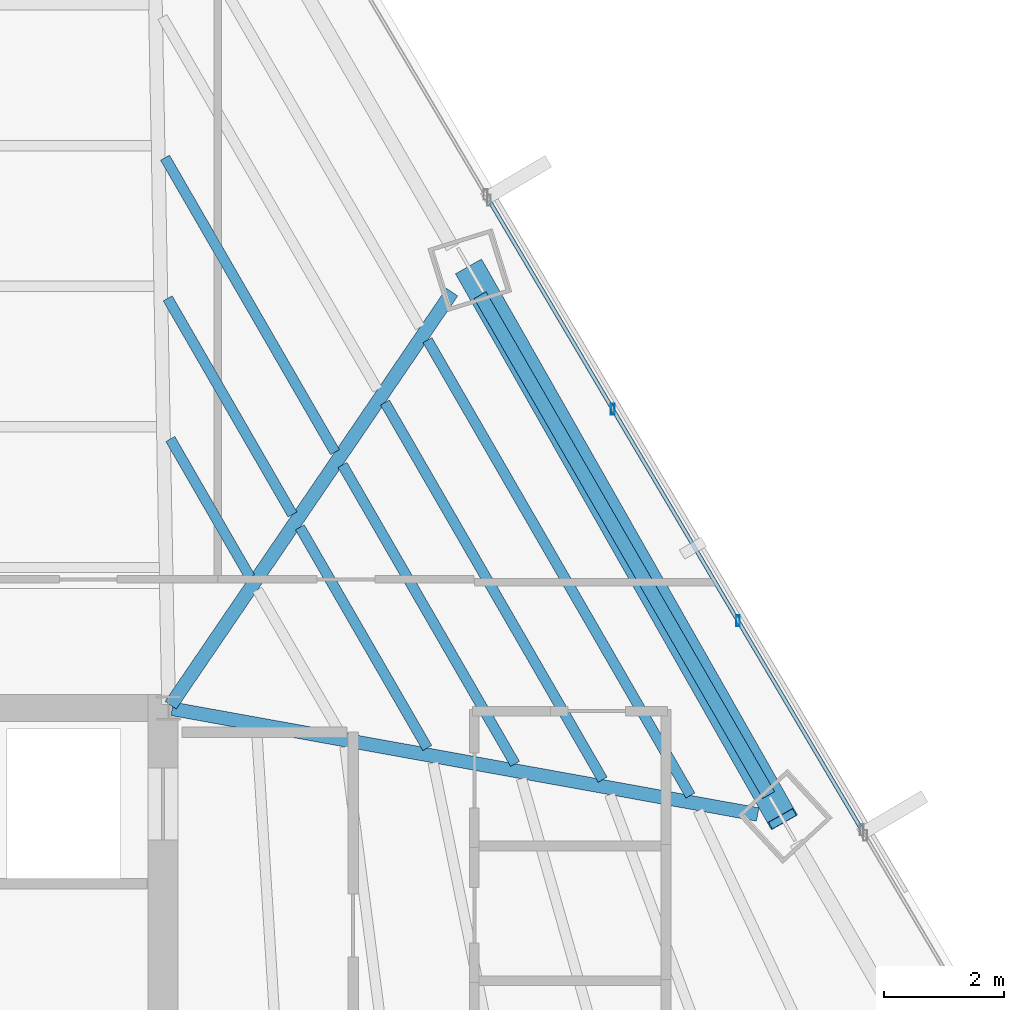
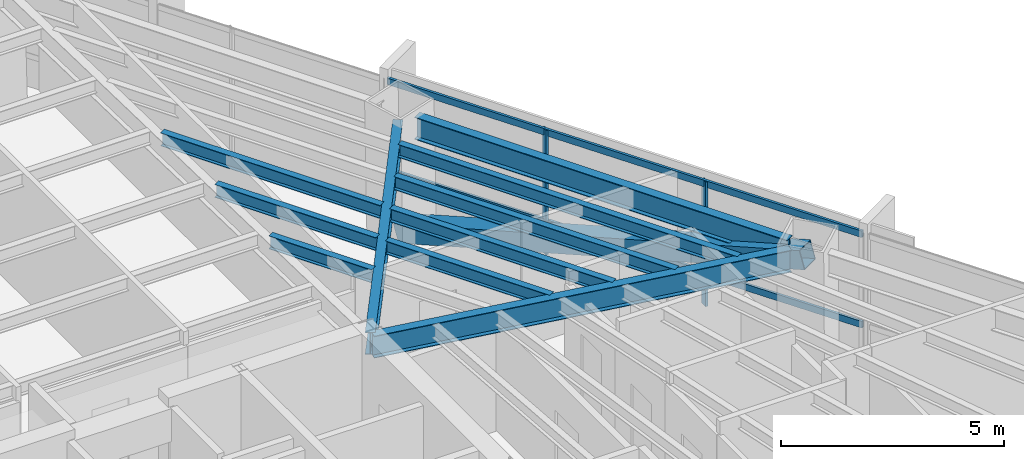
# One storey, part 22 of 36: 10 beams, 5 members, 1 element without a shape of its own.
"""IFC4 building model written with IfcOpenShell, lengths in metres."""

from ifc_helpers import new_model, si_unit, direction, frame, origin, origin_2d, place, context, subcontext, project, spatial, hollow_rectangle, i_section, extrude, source, transform, mapped, material, material_profile, profile_set, type_object, type_shapes, element, aggregate, save


model = new_model("IFC4")

# Units and contexts
model_context = context("Model", 3, precision=1e-05, world=origin(), true_north=direction((0.0, 1.0)))
body_context = subcontext(model_context, "Body", "Model", "MODEL_VIEW")
ifc_project = project(units=[si_unit("LENGTHUNIT", "METRE"), si_unit("AREAUNIT", "SQUARE_METRE"), si_unit("VOLUMEUNIT", "CUBIC_METRE"), si_unit("PLANEANGLEUNIT", "RADIAN"), si_unit("MASSUNIT", "GRAM", prefix="KILO")], contexts=[model_context])

# Site, building, storey
site_placement = place(None, origin())
site = spatial("IfcSite", under=ifc_project, at=site_placement, CompositionType="ELEMENT")
building_placement = place(site_placement, origin())
building = spatial("IfcBuilding", under=site, at=building_placement, Name="Caelisora Broadcast Tower", CompositionType="ELEMENT")
storey_placement = place(building_placement, frame((0.0, 0.0, 112.699951171875)))
storey = spatial("IfcBuildingStorey", under=building, at=storey_placement, Name="L29", CompositionType="ELEMENT", Elevation=112.699951171875)

# Beams
ifc_material_1 = material(Name="Steel Grade 350 (AS/NZS 3679.1)", Category="steel")
ifc_material_profile_1 = material_profile(ifc_material_1, i_section(OverallWidth=0.22900390625, OverallDepth=0.611572265625, WebThickness=0.011962890625, FlangeThickness=0.01953125, at=origin_2d()), Name="Steel Grade 350 (AS/NZS 3679.1)")
ifc_profile_set_1 = profile_set([ifc_material_profile_1], Name="Steel Grade 350 (AS/NZS 3679.1)")
beam_type_1 = type_object("IfcBeamType", Name="PG03", PredefinedType="BEAM", material=ifc_profile_set_1)
shared_shape_1 = source(origin(), body_context, "Body", "SweptSolid", [
    extrude(i_section(OverallWidth=0.22900390625, OverallDepth=0.611572265625, WebThickness=0.011962890625, FlangeThickness=0.01953125, at=origin_2d()), origin(), (0.0, 0.0, 1.0), 9.631591796875),
])
type_shapes(beam_type_1, [shared_shape_1])
beam_1_placement = place(storey_placement, frame((55.51318359375, 28.55029296875, 3.09423828125), z_axis=(-0.499985755146, 0.866033627899, 0.0), x_axis=(-0.866033627899, -0.499985755146, 0.0)))
element("IfcBeam", 1, at=beam_1_placement, inside=storey, type_object=beam_type_1, Name="L29 beam PG03", PredefinedType="BEAM", context=body_context, shape_type="MappedRepresentation", body=[
    mapped(shared_shape_1, transform((0.0, 0.0, 0.0), scale=1.0)),
])
ifc_material_profile_2 = material_profile(ifc_material_1, i_section(OverallWidth=0.22802734375, OverallDepth=0.602294921875, WebThickness=0.010498046875, FlangeThickness=0.014892578125, at=origin_2d()), Name="Steel Grade 350 (AS/NZS 3679.1)")
ifc_profile_set_2 = profile_set([ifc_material_profile_2], Name="Steel Grade 350 (AS/NZS 3679.1)")
beam_type_2 = type_object("IfcBeamType", Name="PG04", PredefinedType="BEAM", material=ifc_profile_set_2)
shared_shape_2 = source(origin(), body_context, "Body", "SweptSolid", [
    extrude(i_section(OverallWidth=0.22802734375, OverallDepth=0.602294921875, WebThickness=0.010498046875, FlangeThickness=0.014892578125, at=origin_2d()), origin(), (0.0, 0.0, 1.0), 8.341796875),
])
beam_2_placement = place(storey_placement, frame((45.53369140625, 30.049560546875, 3.098876953125), z_axis=(0.563100682722, 0.826388299238, 0.0), x_axis=(-0.826388299238, 0.563100682722, 0.0)))
element("IfcBeam", 2, at=beam_2_placement, inside=storey, type_object=beam_type_2, Name="L29 beam PG04", PredefinedType="BEAM", context=body_context, shape_type="MappedRepresentation", body=[
    mapped(shared_shape_2, transform((0.0, 0.0, 0.0), scale=1.0)),
])
shared_shape_3 = source(origin(), body_context, "Body", "SweptSolid", [
    extrude(i_section(OverallWidth=0.22802734375, OverallDepth=0.602294921875, WebThickness=0.010498046875, FlangeThickness=0.014892578125, at=origin_2d()), origin(), (0.0, 0.0, 1.0), 9.928466796875),
])
type_shapes(beam_type_2, [shared_shape_2, shared_shape_3])
beam_3_placement = place(storey_placement, frame((45.55908203125, 29.9892578125, 3.098876953125), z_axis=(0.984113708466, -0.177539316237, 0.0), x_axis=(0.177539316237, 0.984113708466, 0.0)))
element("IfcBeam", 3, at=beam_3_placement, inside=storey, type_object=beam_type_2, Name="L29 beam PG04", PredefinedType="BEAM", context=body_context, shape_type="MappedRepresentation", body=[
    mapped(shared_shape_3, transform((0.0, 0.0, 0.0), scale=1.0)),
])
ifc_material_profile_3 = material_profile(ifc_material_1, i_section(OverallWidth=0.172119140625, OverallDepth=0.358642578125, WebThickness=0.008056640625, FlangeThickness=0.012939453125, at=origin_2d()), Name="Steel Grade 350 (AS/NZS 3679.1)")
ifc_profile_set_3 = profile_set([ifc_material_profile_3], Name="Steel Grade 350 (AS/NZS 3679.1)")
beam_type_3 = type_object("IfcBeamType", Name="SB02", PredefinedType="JOIST", material=ifc_profile_set_3)
shared_shape_4 = source(origin(), body_context, "Body", "SweptSolid", [
    extrude(i_section(OverallWidth=0.172119140625, OverallDepth=0.358642578125, WebThickness=0.008056640625, FlangeThickness=0.012939453125, at=origin_2d()), origin(), (0.0, 0.0, 1.0), 2.658447265625),
])
beam_4_placement = place(storey_placement, frame((46.857421875, 32.189697265625, 3.220703125), z_axis=(-0.499931786637, 0.866064783206, 0.0), x_axis=(-0.866064783206, -0.499931786637, 0.0)))
element("IfcBeam", 4, at=beam_4_placement, inside=storey, type_object=beam_type_3, Name="L29 beam SB02", PredefinedType="JOIST", context=body_context, shape_type="MappedRepresentation", body=[
    mapped(shared_shape_4, transform((0.0, 0.0, 0.0), scale=1.0)),
])
shared_shape_5 = source(origin(), body_context, "Body", "SweptSolid", [
    extrude(i_section(OverallWidth=0.172119140625, OverallDepth=0.358642578125, WebThickness=0.008056640625, FlangeThickness=0.012939453125, at=origin_2d()), origin(), (0.0, 0.0, 1.0), 4.166015625),
])
beam_5_placement = place(storey_placement, frame((47.567138671875, 33.231201171875, 3.220703125), z_axis=(-0.499996383721, 0.866027491634, 0.0), x_axis=(-0.866027491634, -0.499996383721, 0.0)))
element("IfcBeam", 5, at=beam_5_placement, inside=storey, type_object=beam_type_3, Name="L29 beam SB02", PredefinedType="JOIST", context=body_context, shape_type="MappedRepresentation", body=[
    mapped(shared_shape_5, transform((0.0, 0.0, 0.0), scale=1.0)),
])
shared_shape_6 = source(origin(), body_context, "Body", "SweptSolid", [
    extrude(i_section(OverallWidth=0.172119140625, OverallDepth=0.358642578125, WebThickness=0.008056640625, FlangeThickness=0.012939453125, at=origin_2d()), origin(), (0.0, 0.0, 1.0), 5.67333984375),
])
beam_6_placement = place(storey_placement, frame((48.27685546875, 34.272705078125, 3.220703125), z_axis=(-0.499994378847, 0.866028649134, 0.0), x_axis=(-0.866028649134, -0.499994378847, 0.0)))
element("IfcBeam", 6, at=beam_6_placement, inside=storey, type_object=beam_type_3, Name="L29 beam SB02", PredefinedType="JOIST", context=body_context, shape_type="MappedRepresentation", body=[
    mapped(shared_shape_6, transform((0.0, 0.0, 0.0), scale=1.0)),
])
shared_shape_7 = source(origin(), body_context, "Body", "SweptSolid", [
    extrude(i_section(OverallWidth=0.172119140625, OverallDepth=0.358642578125, WebThickness=0.008056640625, FlangeThickness=0.012939453125, at=origin_2d()), origin(), (0.0, 0.0, 1.0), 4.25244140625),
])
beam_7_placement = place(storey_placement, frame((49.81689453125, 29.334716796875, 3.220703125), z_axis=(-0.500010702031, 0.866019224876, 0.0), x_axis=(-0.866019224876, -0.500010702031, 0.0)))
element("IfcBeam", 7, at=beam_7_placement, inside=storey, type_object=beam_type_3, Name="L29 beam SB02", PredefinedType="JOIST", context=body_context, shape_type="MappedRepresentation", body=[
    mapped(shared_shape_7, transform((0.0, 0.0, 0.0), scale=1.0)),
])
shared_shape_8 = source(origin(), body_context, "Body", "SweptSolid", [
    extrude(i_section(OverallWidth=0.172119140625, OverallDepth=0.358642578125, WebThickness=0.008056640625, FlangeThickness=0.012939453125, at=origin_2d()), origin(), (0.0, 0.0, 1.0), 5.759521484375),
])
beam_8_placement = place(storey_placement, frame((51.280029296875, 29.07080078125, 3.220703125), z_axis=(-0.499973188466, 0.866040882878, 0.0), x_axis=(-0.866040882878, -0.499973188466, 0.0)))
element("IfcBeam", 8, at=beam_8_placement, inside=storey, type_object=beam_type_3, Name="L29 beam SB02", PredefinedType="JOIST", context=body_context, shape_type="MappedRepresentation", body=[
    mapped(shared_shape_8, transform((0.0, 0.0, 0.0), scale=1.0)),
])
shared_shape_9 = source(origin(), body_context, "Body", "SweptSolid", [
    extrude(i_section(OverallWidth=0.172119140625, OverallDepth=0.358642578125, WebThickness=0.008056640625, FlangeThickness=0.012939453125, at=origin_2d()), origin(), (0.0, 0.0, 1.0), 7.267333984375),
])
beam_9_placement = place(storey_placement, frame((52.743408203125, 28.806640625, 3.220703125), z_axis=(-0.499987084801, 0.866032860249, 0.0), x_axis=(-0.866032860249, -0.499987084801, 0.0)))
element("IfcBeam", 9, at=beam_9_placement, inside=storey, type_object=beam_type_3, Name="L29 beam SB02", PredefinedType="JOIST", context=body_context, shape_type="MappedRepresentation", body=[
    mapped(shared_shape_9, transform((0.0, 0.0, 0.0), scale=1.0)),
])
shared_shape_10 = source(origin(), body_context, "Body", "SweptSolid", [
    extrude(i_section(OverallWidth=0.172119140625, OverallDepth=0.358642578125, WebThickness=0.008056640625, FlangeThickness=0.012939453125, at=origin_2d()), origin(), (0.0, 0.0, 1.0), 8.7744140625),
])
type_shapes(beam_type_3, [shared_shape_4, shared_shape_5, shared_shape_6, shared_shape_7, shared_shape_8, shared_shape_9, shared_shape_10])
beam_10_placement = place(storey_placement, frame((54.206787109375, 28.542724609375, 3.220703125), z_axis=(-0.499999433879, 0.866025730634, 0.0), x_axis=(-0.866025730634, -0.499999433879, 0.0)))
element("IfcBeam", 10, at=beam_10_placement, inside=storey, type_object=beam_type_3, Name="L29 beam SB02", PredefinedType="JOIST", context=body_context, shape_type="MappedRepresentation", body=[
    mapped(shared_shape_10, transform((0.0, 0.0, 0.0), scale=1.0)),
])

# Member
ifc_material_2 = material(Name="Steel Grade 450 L15 (AS/NZS 3678)", Category="steel")
ifc_material_profile_4 = material_profile(ifc_material_2, hollow_rectangle(XDim=0.5, YDim=0.5, WallThickness=0.02001953125, at=origin_2d()), Name="Steel Grade 450 L15 (AS/NZS 3678)")
ifc_profile_set_4 = profile_set([ifc_material_profile_4], Name="Steel Grade 450 L15 (AS/NZS 3678)")
member_type_1 = type_object("IfcMemberType", Name="BR02", PredefinedType="BRACE", material=ifc_profile_set_4)
shared_shape_11 = source(origin(), body_context, "Body", "SweptSolid", [
    extrude(hollow_rectangle(XDim=0.5, YDim=0.5, WallThickness=0.02001953125, at=origin_2d()), origin(), (0.0, 0.0, 1.0), 10.954345703125),
])
type_shapes(member_type_1, [shared_shape_11])
member_1_placement = place(storey_placement, frame((55.7431640625, 28.152099609375, 3.10009765625), z_axis=(-0.475162730274, 0.836192799116, -0.273864898199), x_axis=(-0.869432804152, -0.494051210974, 0.0)))
element("IfcMember", 11, at=member_1_placement, inside=storey, type_object=member_type_1, Name="L29 perimeter brace BR02", PredefinedType="BRACE", context=body_context, shape_type="MappedRepresentation", body=[
    mapped(shared_shape_11, transform((0.0, 0.0, 0.0), scale=1.0)),
])

# Curtain wall, members
ifc_material_3 = material(Name="Unitised Aluminium Insulated Shadow-Box Spandrel Curtain Wall", Category="aluminium")
curtain_wall_type = type_object("IfcCurtainWallType", Name="CW-SP1", PredefinedType="NOTDEFINED", material=ifc_material_3)
curtain_wall_placement = place(storey_placement, origin())
curtain_wall = element("IfcCurtainWall", 12, at=curtain_wall_placement, inside=storey, type_object=curtain_wall_type, Name="L29 curtain wall CW-SP1", PredefinedType="NOTDEFINED")
ifc_material_4 = material(Name="Aluminium 6063-T6 Anodised Terracotta Bronze", Category="aluminium")
ifc_material_profile_5 = material_profile(ifc_material_4, hollow_rectangle(XDim=0.06494140625, YDim=0.179931640625, WallThickness=0.00341796875, at=origin_2d()), Name="Aluminium 6063-T6 Anodised Terracotta Bronze")
ifc_profile_set_5 = profile_set([ifc_material_profile_5], Name="Aluminium 6063-T6 Anodised Terracotta Bronze")
member_type_2 = type_object("IfcMemberType", Name="CWM-02", PredefinedType="MULLION", material=ifc_profile_set_5)
shared_shape_12 = source(origin(), body_context, "Body", "SweptSolid", [
    extrude(hollow_rectangle(XDim=0.06494140625, YDim=0.179931640625, WallThickness=0.00341796875, at=origin_2d()), origin(), (0.0, 0.0, 1.0), 3.400146484375),
])
type_shapes(member_type_2, [shared_shape_12])
member_2_placement = place(storey_placement, frame((52.9111328125, 34.9892578125, 0.0), z_axis=(0.0, 0.0, 1.0), x_axis=(1.0, 0.0, 0.0)))
member_2 = element("IfcMember", 13, at=member_2_placement, type_object=member_type_2, Name="L29-CW-B02 mullion #1", PredefinedType="MULLION", context=body_context, shape_type="MappedRepresentation", body=[
    mapped(shared_shape_12, transform((0.0, 0.0, 0.0), scale=1.0)),
])
member_3_placement = place(storey_placement, frame((55.00146484375, 31.458984375, 0.0), z_axis=(0.0, 0.0, 1.0), x_axis=(1.0, 0.0, 0.0)))
member_3 = element("IfcMember", 14, at=member_3_placement, type_object=member_type_2, Name="L29-CW-B02 mullion #2", PredefinedType="MULLION", context=body_context, shape_type="MappedRepresentation", body=[
    mapped(shared_shape_12, transform((0.0, 0.0, 0.0), scale=1.0)),
])
ifc_material_profile_6 = material_profile(ifc_material_4, hollow_rectangle(XDim=0.06494140625, YDim=0.179931640625, WallThickness=0.00341796875, at=origin_2d()), Name="Aluminium 6063-T6 Anodised Terracotta Bronze")
ifc_profile_set_6 = profile_set([ifc_material_profile_6], Name="Aluminium 6063-T6 Anodised Terracotta Bronze")
member_type_3 = type_object("IfcMemberType", Name="CWT-01", PredefinedType="USERDEFINED", material=ifc_profile_set_6)
shared_shape_13 = source(origin(), body_context, "Body", "SweptSolid", [
    extrude(hollow_rectangle(XDim=0.06494140625, YDim=0.179931640625, WallThickness=0.00341796875, at=origin_2d()), origin(), (0.0, 0.0, 1.0), 12.208251953125),
])
type_shapes(member_type_3, [shared_shape_13])
member_4_placement = place(storey_placement, frame((50.84619140625, 38.4765625, 0.85009765625), z_axis=(0.509505254767, -0.860467544632, 0.0), x_axis=(0.860467544632, 0.509505254767, 0.0)))
member_4 = element("IfcMember", 15, at=member_4_placement, type_object=member_type_3, Name="L29-CW-B02 transom #1", ObjectType="TRANSOM", PredefinedType="USERDEFINED", context=body_context, shape_type="MappedRepresentation", body=[
    mapped(shared_shape_13, transform((0.0, 0.0, 0.0), scale=1.0)),
])
member_5_placement = place(storey_placement, frame((50.84619140625, 38.4765625, 3.320068359375), z_axis=(0.509505254767, -0.860467544632, 0.0), x_axis=(0.860467544632, 0.509505254767, 0.0)))
member_5 = element("IfcMember", 16, at=member_5_placement, type_object=member_type_3, Name="L29-CW-B02 transom #2", ObjectType="TRANSOM", PredefinedType="USERDEFINED", context=body_context, shape_type="MappedRepresentation", body=[
    mapped(shared_shape_13, transform((0.0, 0.0, 0.0), scale=1.0)),
])
aggregate(curtain_wall, [member_2, member_3, member_4, member_5])

save(model, "model.ifc")
